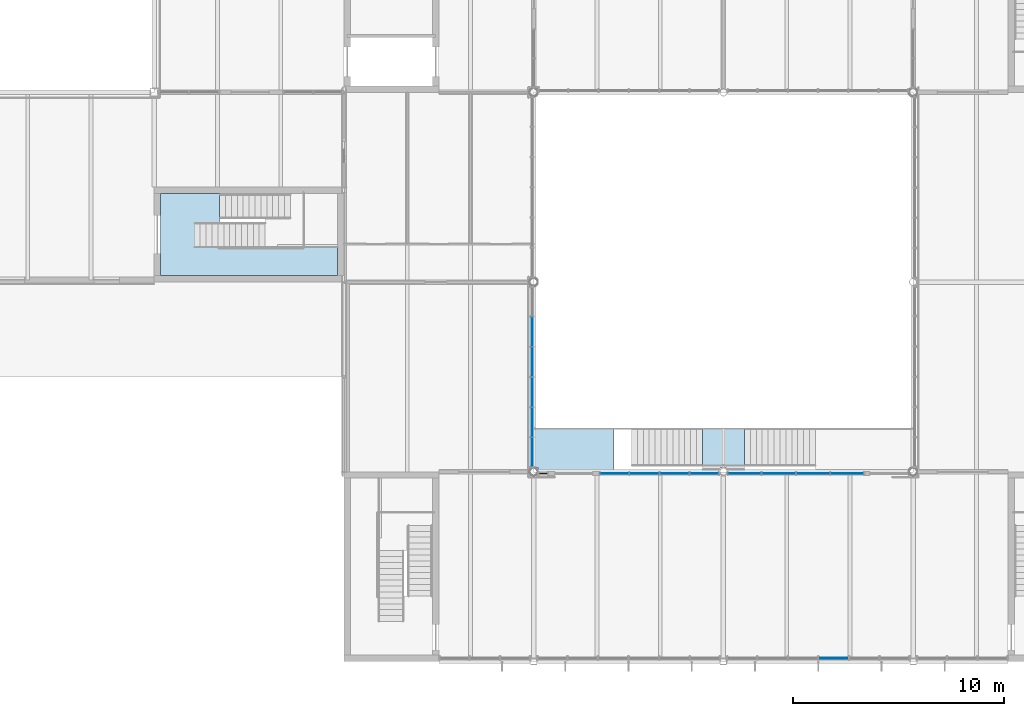
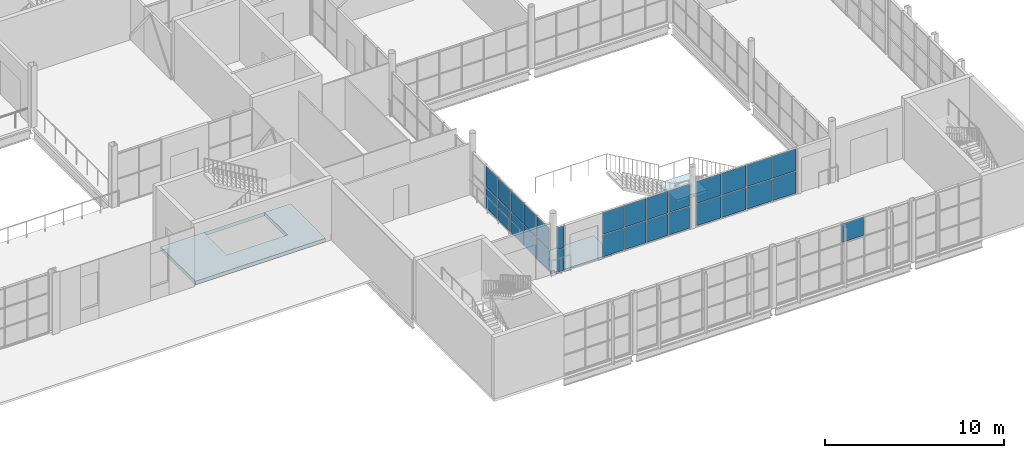
# One storey, part 28 of 57: 29 plates, 3 slabs, 6 elements without a shape of their own.
"""IFC4 building model written with IfcOpenShell, lengths in metres."""

from ifc_helpers import new_model, si_unit, direction, frame, origin, origin_2d, place, context, subcontext, project, spatial, polyline, rectangle, outline, extrude, material, layer, layer_set, type_object, element, aggregate, save


model = new_model("IFC4")

# Units and contexts
model_context = context("Model", 3, precision=1e-05, world=origin(), true_north=direction((0.0, 1.0)))
body_context = subcontext(model_context, "Body", "Model", "MODEL_VIEW")
ifc_project = project(units=[si_unit("LENGTHUNIT", "METRE"), si_unit("AREAUNIT", "SQUARE_METRE"), si_unit("VOLUMEUNIT", "CUBIC_METRE"), si_unit("PLANEANGLEUNIT", "RADIAN"), si_unit("MASSUNIT", "GRAM", prefix="KILO")], contexts=[model_context])

# Site, building, storey
site_placement = place(None, origin())
site = spatial("IfcSite", under=ifc_project, at=site_placement, CompositionType="ELEMENT")
building_placement = place(site_placement, origin())
building = spatial("IfcBuilding", under=site, at=building_placement, Name="Halyard Row Museum", CompositionType="ELEMENT")
storey_placement = place(building_placement, frame((0.0, 0.0, 5.0)))
storey = spatial("IfcBuildingStorey", under=building, at=storey_placement, Name="L01", CompositionType="ELEMENT", Elevation=5.0)

# Slab
ifc_material_1 = material(Name="Concrete 40 MPa", Category="concrete")
ifc_layer_1 = layer(ifc_material_1, 0.25)
ifc_layer_set_1 = layer_set([ifc_layer_1], Name="Concrete 40 MPa")
slab_type_1 = type_object("IfcSlabType", Name="Core floor slab 250", PredefinedType="FLOOR", material=ifc_layer_set_1)
slab_1_placement = place(storey_placement, frame((0.0, 0.0, -0.25)))
element("IfcSlab", 1, at=slab_1_placement, inside=storey, type_object=slab_type_1, Name="Core floor K1C L01", PredefinedType="FLOOR", context=body_context, shape_type="SweptSolid", body=[
    extrude(outline(polyline([(71.699951171875, 22.199951171875), (63.300048828125, 22.199951171875), (63.300048828125, 18.300048828125), (71.699951171875, 18.300048828125), (71.699951171875, 22.199951171875)]), holes=[polyline([(70.01708984375, 22.197021484375), (70.01708984375, 19.653076171875), (66.10302734375, 19.653076171875), (66.10302734375, 22.197021484375), (70.01708984375, 22.197021484375)])]), origin(), (0.0, 0.0, 1.0), 0.25),
])

# Curtain wall, plate
ifc_material_2 = material(Name="Double glazed unit, low-emissivity", Category="glass")
ifc_layer_2 = layer(ifc_material_2, 0.219970703125)
ifc_layer_set_2 = layer_set([ifc_layer_2], Name="Double glazed unit, low-emissivity")
curtain_wall_type_1 = type_object("IfcCurtainWallType", Name="Curtain wall unitised 220 deep", PredefinedType="NOTDEFINED", material=ifc_layer_set_2)
curtain_wall_1_placement = place(storey_placement, origin())
curtain_wall_1 = element("IfcCurtainWall", 2, at=curtain_wall_1_placement, inside=storey, type_object=curtain_wall_type_1, Name="Curtain wall CW026", PredefinedType="NOTDEFINED")
ifc_material_3 = material(Name="Double glazed unit, low-emissivity", Category="glass")
ifc_layer_3 = layer(ifc_material_3, 0.035888671875)
ifc_layer_set_3 = layer_set([ifc_layer_3], Name="Double glazed unit, low-emissivity")
plate_type_1 = type_object("IfcPlateType", Name="Curtain wall glazed panel CP3 36", PredefinedType="CURTAIN_PANEL", material=ifc_layer_set_3)
plate_1_placement = place(storey_placement, frame((95.22509765625, 0.159912109375, 2.719970703125), z_axis=(0.0, 0.0, 1.0), x_axis=(1.0, 0.0, 0.0)))
plate_1 = element("IfcPlate", 3, at=plate_1_placement, type_object=plate_type_1, Name="CW026 panel 4.3", PredefinedType="CURTAIN_PANEL", context=body_context, shape_type="SweptSolid", body=[
    extrude(rectangle(XDim=1.389892578125, YDim=0.035888671875, at=origin_2d()), origin(), (0.0, 0.0, 1.0), 1.2548828125),
])
aggregate(curtain_wall_1, [plate_1])

# Curtain wall, plates
ifc_material_4 = material(Name="Fire-resisting laminated glazing", Category="glass")
ifc_layer_4 = layer(ifc_material_4, 0.159912109375)
ifc_layer_set_4 = layer_set([ifc_layer_4], Name="Fire-resisting laminated glazing")
curtain_wall_type_2 = type_object("IfcCurtainWallType", Name="Curtain wall atrium screen 160 deep", PredefinedType="NOTDEFINED", material=ifc_layer_set_4)
curtain_wall_2_placement = place(storey_placement, origin())
curtain_wall_2 = element("IfcCurtainWall", 4, at=curtain_wall_2_placement, inside=storey, type_object=curtain_wall_type_2, Name="Curtain wall CW075", PredefinedType="NOTDEFINED")
ifc_material_5 = material(Name="Fire-resisting laminated glazing", Category="glass")
ifc_layer_5 = layer(ifc_material_5, 0.0400390625)
ifc_layer_set_5 = layer_set([ifc_layer_5], Name="Fire-resisting laminated glazing")
plate_type_2 = type_object("IfcPlateType", Name="Curtain wall glazed panel CP5 40", PredefinedType="CURTAIN_PANEL", material=ifc_layer_set_5)
plate_2_placement = place(storey_placement, frame((81.45166015625, 8.919921875, 0.06005859375), z_axis=(0.0, 0.0, 1.0), x_axis=(1.0, 0.0, 0.0)))
plate_2 = element("IfcPlate", 5, at=plate_2_placement, type_object=plate_type_2, Name="CW075 panel 1.1", PredefinedType="CURTAIN_PANEL", context=body_context, shape_type="SweptSolid", body=[
    extrude(rectangle(XDim=0.376708984375, YDim=0.0400390625, at=origin_2d()), origin(), (0.0, 0.0, 1.0), 1.47216796875),
])
plate_3_placement = place(storey_placement, frame((81.45166015625, 8.919921875, 1.59228515625), z_axis=(0.0, 0.0, 1.0), x_axis=(1.0, 0.0, 0.0)))
plate_3 = element("IfcPlate", 6, at=plate_3_placement, type_object=plate_type_2, Name="CW075 panel 1.2", PredefinedType="CURTAIN_PANEL", context=body_context, shape_type="SweptSolid", body=[
    extrude(rectangle(XDim=0.376708984375, YDim=0.0400390625, at=origin_2d()), origin(), (0.0, 0.0, 1.0), 1.47216796875),
])
aggregate(curtain_wall_2, [plate_2, plate_3])

curtain_wall_3_placement = place(storey_placement, origin())
curtain_wall_3 = element("IfcCurtainWall", 7, at=curtain_wall_3_placement, inside=storey, type_object=curtain_wall_type_2, Name="Curtain wall CW076", PredefinedType="NOTDEFINED")
plate_4_placement = place(storey_placement, frame((84.830322265625, 8.919921875, 0.06005859375), z_axis=(0.0, 0.0, 1.0), x_axis=(1.0, 0.0, 0.0)))
plate_4 = element("IfcPlate", 8, at=plate_4_placement, type_object=plate_type_2, Name="CW076 panel 1.1", PredefinedType="CURTAIN_PANEL", context=body_context, shape_type="SweptSolid", body=[
    extrude(rectangle(XDim=1.340576171875, YDim=0.0400390625, at=origin_2d()), origin(), (0.0, 0.0, 1.0), 1.47216796875),
])
plate_5_placement = place(storey_placement, frame((84.830322265625, 8.919921875, 1.59228515625), z_axis=(0.0, 0.0, 1.0), x_axis=(1.0, 0.0, 0.0)))
plate_5 = element("IfcPlate", 9, at=plate_5_placement, type_object=plate_type_2, Name="CW076 panel 1.2", PredefinedType="CURTAIN_PANEL", context=body_context, shape_type="SweptSolid", body=[
    extrude(rectangle(XDim=1.340576171875, YDim=0.0400390625, at=origin_2d()), origin(), (0.0, 0.0, 1.0), 1.47216796875),
])
plate_6_placement = place(storey_placement, frame((86.245849609375, 8.919921875, 0.06005859375), z_axis=(0.0, 0.0, 1.0), x_axis=(1.0, 0.0, 0.0)))
plate_6 = element("IfcPlate", 10, at=plate_6_placement, type_object=plate_type_2, Name="CW076 panel 2.1", PredefinedType="CURTAIN_PANEL", context=body_context, shape_type="SweptSolid", body=[
    extrude(rectangle(XDim=1.37060546875, YDim=0.0400390625, at=origin_2d()), origin(), (0.0, 0.0, 1.0), 1.47216796875),
])
plate_7_placement = place(storey_placement, frame((86.245849609375, 8.919921875, 1.59228515625), z_axis=(0.0, 0.0, 1.0), x_axis=(1.0, 0.0, 0.0)))
plate_7 = element("IfcPlate", 11, at=plate_7_placement, type_object=plate_type_2, Name="CW076 panel 2.2", PredefinedType="CURTAIN_PANEL", context=body_context, shape_type="SweptSolid", body=[
    extrude(rectangle(XDim=1.37060546875, YDim=0.0400390625, at=origin_2d()), origin(), (0.0, 0.0, 1.0), 1.47216796875),
])
plate_8_placement = place(storey_placement, frame((87.67626953125, 8.919921875, 0.06005859375), z_axis=(0.0, 0.0, 1.0), x_axis=(1.0, 0.0, 0.0)))
plate_8 = element("IfcPlate", 12, at=plate_8_placement, type_object=plate_type_2, Name="CW076 panel 3.1", PredefinedType="CURTAIN_PANEL", context=body_context, shape_type="SweptSolid", body=[
    extrude(rectangle(XDim=1.37060546875, YDim=0.0400390625, at=origin_2d()), origin(), (0.0, 0.0, 1.0), 1.47216796875),
])
plate_9_placement = place(storey_placement, frame((87.67626953125, 8.919921875, 1.59228515625), z_axis=(0.0, 0.0, 1.0), x_axis=(1.0, 0.0, 0.0)))
plate_9 = element("IfcPlate", 13, at=plate_9_placement, type_object=plate_type_2, Name="CW076 panel 3.2", PredefinedType="CURTAIN_PANEL", context=body_context, shape_type="SweptSolid", body=[
    extrude(rectangle(XDim=1.37060546875, YDim=0.0400390625, at=origin_2d()), origin(), (0.0, 0.0, 1.0), 1.47216796875),
])
plate_10_placement = place(storey_placement, frame((89.092041015625, 8.919921875, 0.06005859375), z_axis=(0.0, 0.0, 1.0), x_axis=(1.0, 0.0, 0.0)))
plate_10 = element("IfcPlate", 14, at=plate_10_placement, type_object=plate_type_2, Name="CW076 panel 4.1", PredefinedType="CURTAIN_PANEL", context=body_context, shape_type="SweptSolid", body=[
    extrude(rectangle(XDim=1.340576171875, YDim=0.0400390625, at=origin_2d()), origin(), (0.0, 0.0, 1.0), 1.47216796875),
])
plate_11_placement = place(storey_placement, frame((89.092041015625, 8.919921875, 1.59228515625), z_axis=(0.0, 0.0, 1.0), x_axis=(1.0, 0.0, 0.0)))
plate_11 = element("IfcPlate", 15, at=plate_11_placement, type_object=plate_type_2, Name="CW076 panel 4.2", PredefinedType="CURTAIN_PANEL", context=body_context, shape_type="SweptSolid", body=[
    extrude(rectangle(XDim=1.340576171875, YDim=0.0400390625, at=origin_2d()), origin(), (0.0, 0.0, 1.0), 1.47216796875),
])
aggregate(curtain_wall_3, [plate_4, plate_5, plate_6, plate_7, plate_8, plate_9, plate_10, plate_11])

curtain_wall_4_placement = place(storey_placement, origin())
curtain_wall_4 = element("IfcCurtainWall", 16, at=curtain_wall_4_placement, inside=storey, type_object=curtain_wall_type_2, Name="Curtain wall CW077", PredefinedType="NOTDEFINED")
plate_12_placement = place(storey_placement, frame((91.008056640625, 8.919921875, 0.06005859375), z_axis=(0.0, 0.0, 1.0), x_axis=(1.0, 0.0, 0.0)))
plate_12 = element("IfcPlate", 17, at=plate_12_placement, type_object=plate_type_2, Name="CW077 panel 1.1", PredefinedType="CURTAIN_PANEL", context=body_context, shape_type="SweptSolid", body=[
    extrude(rectangle(XDim=1.54052734375, YDim=0.0400390625, at=origin_2d()), origin(), (0.0, 0.0, 1.0), 1.47216796875),
])
plate_13_placement = place(storey_placement, frame((91.008056640625, 8.919921875, 1.59228515625), z_axis=(0.0, 0.0, 1.0), x_axis=(1.0, 0.0, 0.0)))
plate_13 = element("IfcPlate", 18, at=plate_13_placement, type_object=plate_type_2, Name="CW077 panel 1.2", PredefinedType="CURTAIN_PANEL", context=body_context, shape_type="SweptSolid", body=[
    extrude(rectangle(XDim=1.54052734375, YDim=0.0400390625, at=origin_2d()), origin(), (0.0, 0.0, 1.0), 1.47216796875),
])
plate_14_placement = place(storey_placement, frame((92.62353515625, 8.919921875, 0.06005859375), z_axis=(0.0, 0.0, 1.0), x_axis=(1.0, 0.0, 0.0)))
plate_14 = element("IfcPlate", 19, at=plate_14_placement, type_object=plate_type_2, Name="CW077 panel 2.1", PredefinedType="CURTAIN_PANEL", context=body_context, shape_type="SweptSolid", body=[
    extrude(rectangle(XDim=1.570556640625, YDim=0.0400390625, at=origin_2d()), origin(), (0.0, 0.0, 1.0), 1.47216796875),
])
plate_15_placement = place(storey_placement, frame((92.62353515625, 8.919921875, 1.59228515625), z_axis=(0.0, 0.0, 1.0), x_axis=(1.0, 0.0, 0.0)))
plate_15 = element("IfcPlate", 20, at=plate_15_placement, type_object=plate_type_2, Name="CW077 panel 2.2", PredefinedType="CURTAIN_PANEL", context=body_context, shape_type="SweptSolid", body=[
    extrude(rectangle(XDim=1.570556640625, YDim=0.0400390625, at=origin_2d()), origin(), (0.0, 0.0, 1.0), 1.47216796875),
])
plate_16_placement = place(storey_placement, frame((94.254150390625, 8.919921875, 0.06005859375), z_axis=(0.0, 0.0, 1.0), x_axis=(1.0, 0.0, 0.0)))
plate_16 = element("IfcPlate", 21, at=plate_16_placement, type_object=plate_type_2, Name="CW077 panel 3.1", PredefinedType="CURTAIN_PANEL", context=body_context, shape_type="SweptSolid", body=[
    extrude(rectangle(XDim=1.570556640625, YDim=0.0400390625, at=origin_2d()), origin(), (0.0, 0.0, 1.0), 1.47216796875),
])
plate_17_placement = place(storey_placement, frame((94.254150390625, 8.919921875, 1.59228515625), z_axis=(0.0, 0.0, 1.0), x_axis=(1.0, 0.0, 0.0)))
plate_17 = element("IfcPlate", 22, at=plate_17_placement, type_object=plate_type_2, Name="CW077 panel 3.2", PredefinedType="CURTAIN_PANEL", context=body_context, shape_type="SweptSolid", body=[
    extrude(rectangle(XDim=1.570556640625, YDim=0.0400390625, at=origin_2d()), origin(), (0.0, 0.0, 1.0), 1.47216796875),
])
plate_18_placement = place(storey_placement, frame((95.86962890625, 8.919921875, 0.06005859375), z_axis=(0.0, 0.0, 1.0), x_axis=(1.0, 0.0, 0.0)))
plate_18 = element("IfcPlate", 23, at=plate_18_placement, type_object=plate_type_2, Name="CW077 panel 4.1", PredefinedType="CURTAIN_PANEL", context=body_context, shape_type="SweptSolid", body=[
    extrude(rectangle(XDim=1.54052734375, YDim=0.0400390625, at=origin_2d()), origin(), (0.0, 0.0, 1.0), 1.47216796875),
])
plate_19_placement = place(storey_placement, frame((95.86962890625, 8.919921875, 1.59228515625), z_axis=(0.0, 0.0, 1.0), x_axis=(1.0, 0.0, 0.0)))
plate_19 = element("IfcPlate", 24, at=plate_19_placement, type_object=plate_type_2, Name="CW077 panel 4.2", PredefinedType="CURTAIN_PANEL", context=body_context, shape_type="SweptSolid", body=[
    extrude(rectangle(XDim=1.54052734375, YDim=0.0400390625, at=origin_2d()), origin(), (0.0, 0.0, 1.0), 1.47216796875),
])
aggregate(curtain_wall_4, [plate_12, plate_13, plate_14, plate_15, plate_16, plate_17, plate_18, plate_19])

curtain_wall_5_placement = place(storey_placement, origin())
curtain_wall_5 = element("IfcCurtainWall", 25, at=curtain_wall_5_placement, inside=storey, type_object=curtain_wall_type_2, Name="Curtain wall CW083", PredefinedType="NOTDEFINED")
plate_20_placement = place(storey_placement, frame((80.919921875, 15.6484375, 0.06005859375), z_axis=(0.0, 0.0, 1.0), x_axis=(0.0, -1.0, 0.0)))
plate_20 = element("IfcPlate", 26, at=plate_20_placement, type_object=plate_type_2, Name="CW083 panel 2.1", PredefinedType="CURTAIN_PANEL", context=body_context, shape_type="SweptSolid", body=[
    extrude(rectangle(XDim=1.372314453125, YDim=0.0400390625, at=origin_2d()), origin(), (0.0, 0.0, 1.0), 1.402587890625),
])
plate_21_placement = place(storey_placement, frame((80.919921875, 15.6484375, 1.5224609375), z_axis=(0.0, 0.0, 1.0), x_axis=(0.0, -1.0, 0.0)))
plate_21 = element("IfcPlate", 27, at=plate_21_placement, type_object=plate_type_2, Name="CW083 panel 2.2", PredefinedType="CURTAIN_PANEL", context=body_context, shape_type="SweptSolid", body=[
    extrude(rectangle(XDim=1.372314453125, YDim=0.0400390625, at=origin_2d()), origin(), (0.0, 0.0, 1.0), 1.402587890625),
])
plate_22_placement = place(storey_placement, frame((80.919921875, 14.216064453125, 0.06005859375), z_axis=(0.0, 0.0, 1.0), x_axis=(0.0, -1.0, 0.0)))
plate_22 = element("IfcPlate", 28, at=plate_22_placement, type_object=plate_type_2, Name="CW083 panel 3.1", PredefinedType="CURTAIN_PANEL", context=body_context, shape_type="SweptSolid", body=[
    extrude(rectangle(XDim=1.372314453125, YDim=0.0400390625, at=origin_2d()), origin(), (0.0, 0.0, 1.0), 1.402587890625),
])
plate_23_placement = place(storey_placement, frame((80.919921875, 14.216064453125, 1.5224609375), z_axis=(0.0, 0.0, 1.0), x_axis=(0.0, -1.0, 0.0)))
plate_23 = element("IfcPlate", 29, at=plate_23_placement, type_object=plate_type_2, Name="CW083 panel 3.2", PredefinedType="CURTAIN_PANEL", context=body_context, shape_type="SweptSolid", body=[
    extrude(rectangle(XDim=1.372314453125, YDim=0.0400390625, at=origin_2d()), origin(), (0.0, 0.0, 1.0), 1.402587890625),
])
plate_24_placement = place(storey_placement, frame((80.919921875, 12.783935546875, 0.06005859375), z_axis=(0.0, 0.0, 1.0), x_axis=(0.0, -1.0, 0.0)))
plate_24 = element("IfcPlate", 30, at=plate_24_placement, type_object=plate_type_2, Name="CW083 panel 4.1", PredefinedType="CURTAIN_PANEL", context=body_context, shape_type="SweptSolid", body=[
    extrude(rectangle(XDim=1.372314453125, YDim=0.0400390625, at=origin_2d()), origin(), (0.0, 0.0, 1.0), 1.402587890625),
])
plate_25_placement = place(storey_placement, frame((80.919921875, 12.783935546875, 1.5224609375), z_axis=(0.0, 0.0, 1.0), x_axis=(0.0, -1.0, 0.0)))
plate_25 = element("IfcPlate", 31, at=plate_25_placement, type_object=plate_type_2, Name="CW083 panel 4.2", PredefinedType="CURTAIN_PANEL", context=body_context, shape_type="SweptSolid", body=[
    extrude(rectangle(XDim=1.372314453125, YDim=0.0400390625, at=origin_2d()), origin(), (0.0, 0.0, 1.0), 1.402587890625),
])
plate_26_placement = place(storey_placement, frame((80.919921875, 11.3515625, 0.06005859375), z_axis=(0.0, 0.0, 1.0), x_axis=(0.0, -1.0, 0.0)))
plate_26 = element("IfcPlate", 32, at=plate_26_placement, type_object=plate_type_2, Name="CW083 panel 5.1", PredefinedType="CURTAIN_PANEL", context=body_context, shape_type="SweptSolid", body=[
    extrude(rectangle(XDim=1.372314453125, YDim=0.0400390625, at=origin_2d()), origin(), (0.0, 0.0, 1.0), 1.402587890625),
])
plate_27_placement = place(storey_placement, frame((80.919921875, 11.3515625, 1.5224609375), z_axis=(0.0, 0.0, 1.0), x_axis=(0.0, -1.0, 0.0)))
plate_27 = element("IfcPlate", 33, at=plate_27_placement, type_object=plate_type_2, Name="CW083 panel 5.2", PredefinedType="CURTAIN_PANEL", context=body_context, shape_type="SweptSolid", body=[
    extrude(rectangle(XDim=1.372314453125, YDim=0.0400390625, at=origin_2d()), origin(), (0.0, 0.0, 1.0), 1.402587890625),
])
plate_28_placement = place(storey_placement, frame((80.919921875, 9.934326171875, 0.06005859375), z_axis=(0.0, 0.0, 1.0), x_axis=(0.0, -1.0, 0.0)))
plate_28 = element("IfcPlate", 34, at=plate_28_placement, type_object=plate_type_2, Name="CW083 panel 6.1", PredefinedType="CURTAIN_PANEL", context=body_context, shape_type="SweptSolid", body=[
    extrude(rectangle(XDim=1.34228515625, YDim=0.0400390625, at=origin_2d()), origin(), (0.0, 0.0, 1.0), 1.402587890625),
])
plate_29_placement = place(storey_placement, frame((80.919921875, 9.934326171875, 1.5224609375), z_axis=(0.0, 0.0, 1.0), x_axis=(0.0, -1.0, 0.0)))
plate_29 = element("IfcPlate", 35, at=plate_29_placement, type_object=plate_type_2, Name="CW083 panel 6.2", PredefinedType="CURTAIN_PANEL", context=body_context, shape_type="SweptSolid", body=[
    extrude(rectangle(XDim=1.34228515625, YDim=0.0400390625, at=origin_2d()), origin(), (0.0, 0.0, 1.0), 1.402587890625),
])
aggregate(curtain_wall_5, [plate_20, plate_21, plate_22, plate_23, plate_24, plate_25, plate_26, plate_27, plate_28, plate_29])

# Stair, slab
ifc_material_6 = material(Name="Steel Grade 350", Category="steel")
stair_type = type_object("IfcStairType", Name="Feature stair two flights 1800", PredefinedType="HALF_TURN_STAIR", material=ifc_material_6)
stair_placement = place(storey_placement, origin())
stair = element("IfcStair", 36, at=stair_placement, inside=storey, type_object=stair_type, Name="Feature stair L01", PredefinedType="HALF_TURN_STAIR")
ifc_material_7 = material(Name="Concrete 40 MPa", Category="concrete")
ifc_layer_6 = layer(ifc_material_7, 0.199951171875)
ifc_layer_set_6 = layer_set([ifc_layer_6], Name="Concrete 40 MPa")
slab_type_2 = type_object("IfcSlabType", Name="Exit stair landing 200", PredefinedType="LANDING", material=ifc_layer_set_6)
slab_2_placement = place(storey_placement, frame((0.0, 0.0, 1.89990234375)))
slab_2 = element("IfcSlab", 37, at=slab_2_placement, type_object=slab_type_2, Name="STF-L01 landing 1", PredefinedType="LANDING", context=body_context, shape_type="SweptSolid", body=[
    extrude(outline(polyline([(89.0, 9.1201171875), (89.822265625, 9.1201171875), (89.822265625, 9.177734375), (90.177734375, 9.177734375), (90.177734375, 9.1201171875), (91.0, 9.1201171875), (91.0, 11.050048828125), (89.0, 11.050048828125), (89.0, 9.1201171875)])), origin(), (0.0, 0.0, 1.0), 0.2001953125),
])
aggregate(stair, [slab_2])

# Slab
ifc_material_8 = material(Name="Concrete 40 MPa", Category="concrete")
ifc_layer_7 = layer(ifc_material_8, 0.1650390625)
ifc_layer_set_7 = layer_set([ifc_layer_7], Name="Concrete 40 MPa")
slab_type_3 = type_object("IfcSlabType", Name="Stair apron slab", PredefinedType="FLOOR", material=ifc_layer_set_7)
slab_3_placement = place(storey_placement, frame((0.0, 0.0, -0.1650390625)))
element("IfcSlab", 38, at=slab_3_placement, inside=storey, type_object=slab_type_3, Name="Stair apron L01 1", PredefinedType="FLOOR", context=body_context, shape_type="SweptSolid", body=[
    extrude(outline(polyline([(81.0, 11.050048828125), (84.802978515625, 11.050048828125), (84.802978515625, 9.0), (81.203125, 9.0), (81.203125, 9.203125), (81.0, 9.203125), (81.0, 11.050048828125)])), origin(), (0.0, 0.0, 1.0), 0.1650390625),
])

save(model, "model.ifc")
